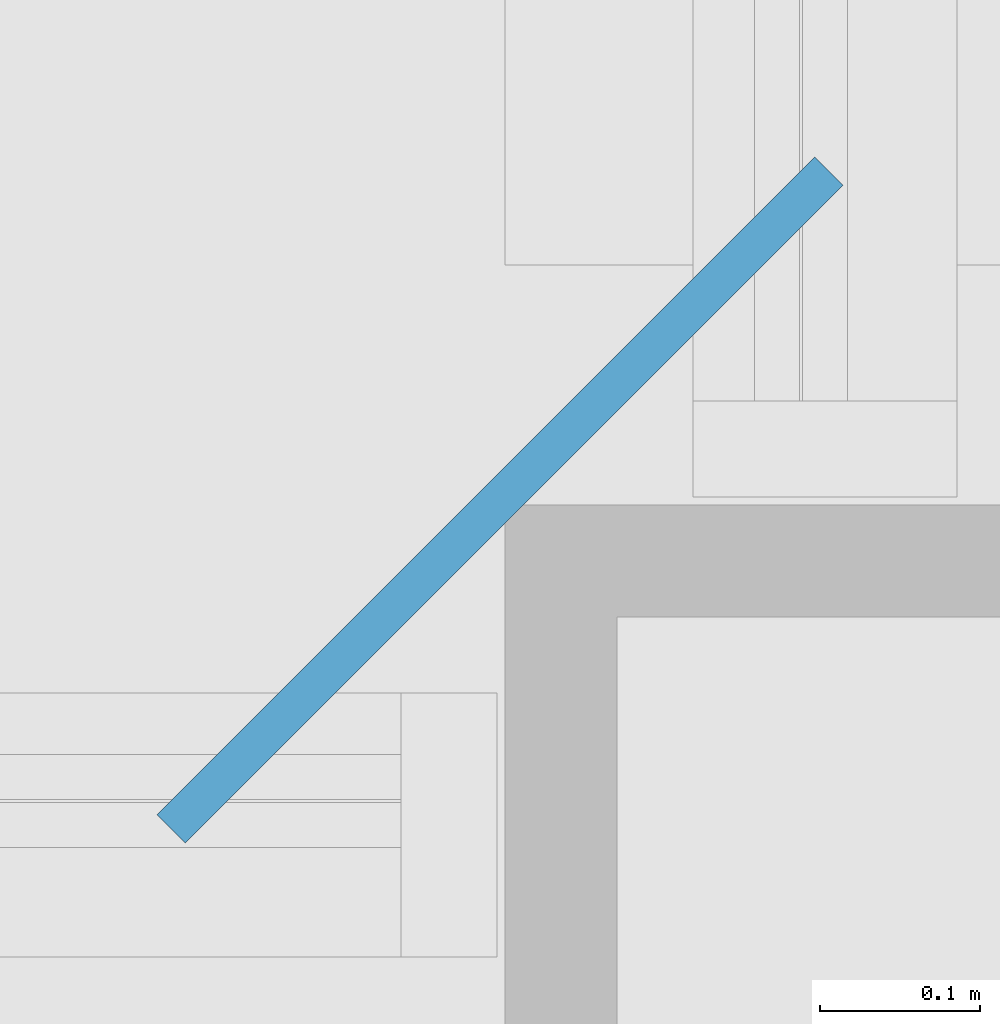
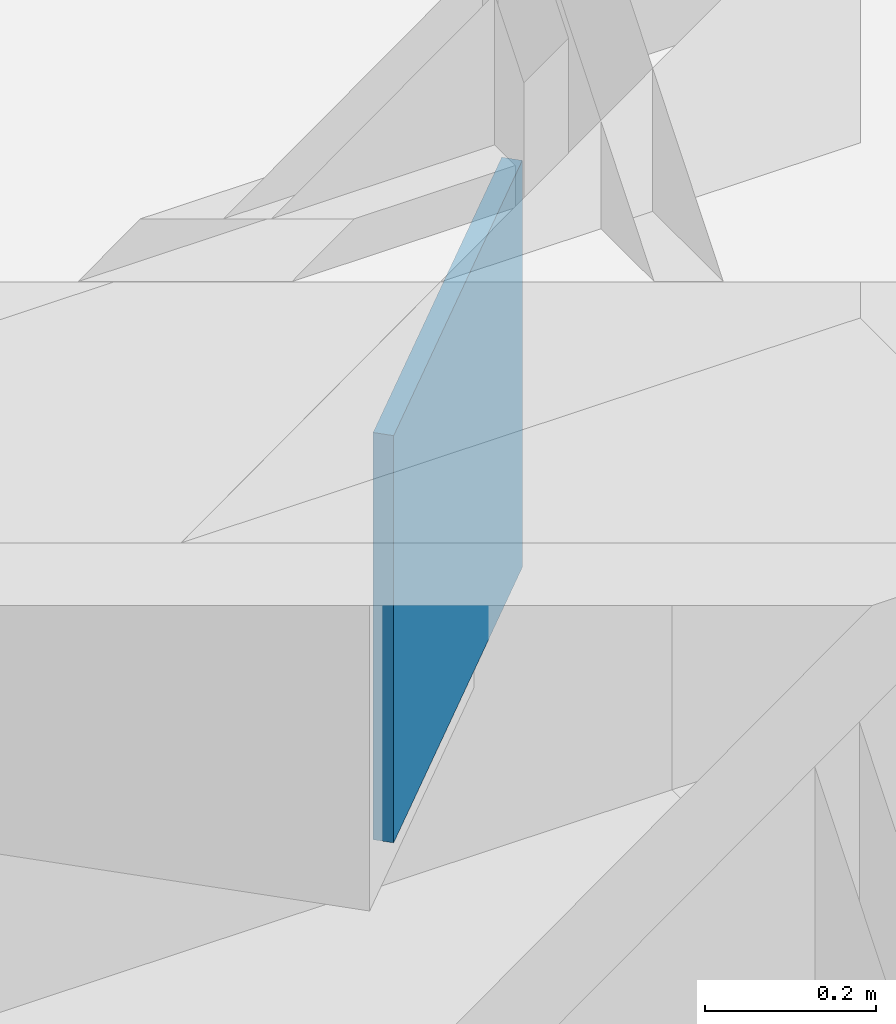
# One storey, part 18 of 29: 1 plate.
"""IFC4 building model written with IfcOpenShell, lengths in metres."""

from ifc_helpers import new_model, si_unit, direction, frame, origin, origin_2d, place, context, subcontext, project, spatial, rectangle, extrude, material, layer, layer_set, type_object, element, save


model = new_model("IFC4")

# Units and contexts
model_context = context("Model", 3, precision=1e-05, world=origin(), true_north=direction((0.0, 1.0)))
body_context = subcontext(model_context, "Body", "Model", "MODEL_VIEW")
ifc_project = project(units=[si_unit("LENGTHUNIT", "METRE"), si_unit("AREAUNIT", "SQUARE_METRE"), si_unit("VOLUMEUNIT", "CUBIC_METRE"), si_unit("PLANEANGLEUNIT", "RADIAN"), si_unit("MASSUNIT", "GRAM", prefix="KILO")], contexts=[model_context])

# Site, building, storey
site_placement = place(None, origin())
site = spatial("IfcSite", under=ifc_project, at=site_placement, CompositionType="ELEMENT")
building_placement = place(site_placement, origin())
building = spatial("IfcBuilding", under=site, at=building_placement, Name="Kopane Lantern Tower", CompositionType="ELEMENT")
storey_placement = place(building_placement, frame((0.0, 0.0, 165.0)))
storey = spatial("IfcBuildingStorey", under=building, at=storey_placement, Name="L42", CompositionType="ELEMENT", Elevation=165.0)

# Plate
ifc_material = material(Name="Steel S355JR", Category="steel")
ifc_layer = layer(ifc_material, 0.02490234375)
ifc_layer_set = layer_set([ifc_layer], Name="STEEL END CAP PLATE PL25")
plate_type = type_object("IfcPlateType", Name="STEEL END CAP PLATE PL25", PredefinedType="USERDEFINED", material=ifc_layer_set)
plate_placement = place(storey_placement, frame((52.296875, 15.203125, -0.890625), z_axis=(0.0, 0.0, 1.0), x_axis=(0.707106781187, -0.707106781187, 0.0)))
element("IfcPlate", 1, at=plate_placement, inside=storey, type_object=plate_type, Name="Corner tie beam end cap plate L42", ObjectType="PLATE", PredefinedType="USERDEFINED", context=body_context, shape_type="SweptSolid", body=[
    extrude(rectangle(XDim=0.02490234375, YDim=0.5810546875, at=origin_2d()), origin(), (0.0, 0.0, 1.0), 0.5810546875),
])

save(model, "model.ifc")
